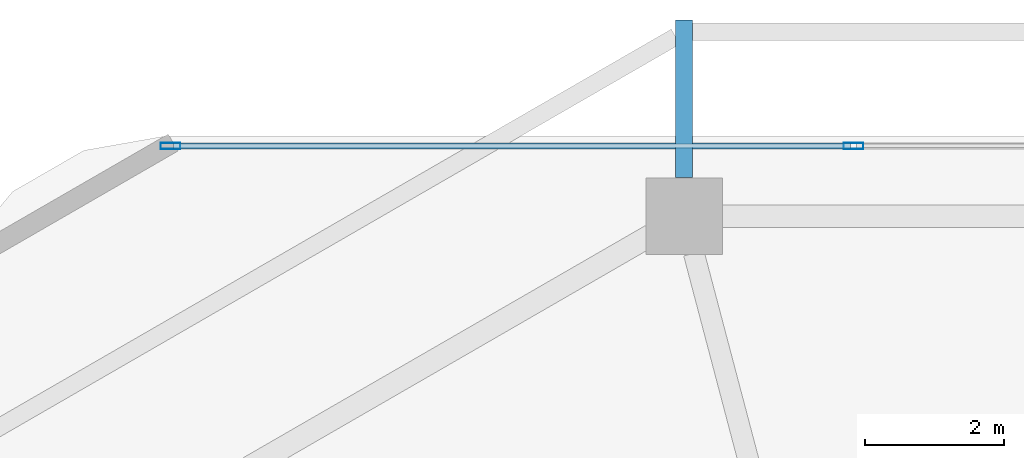
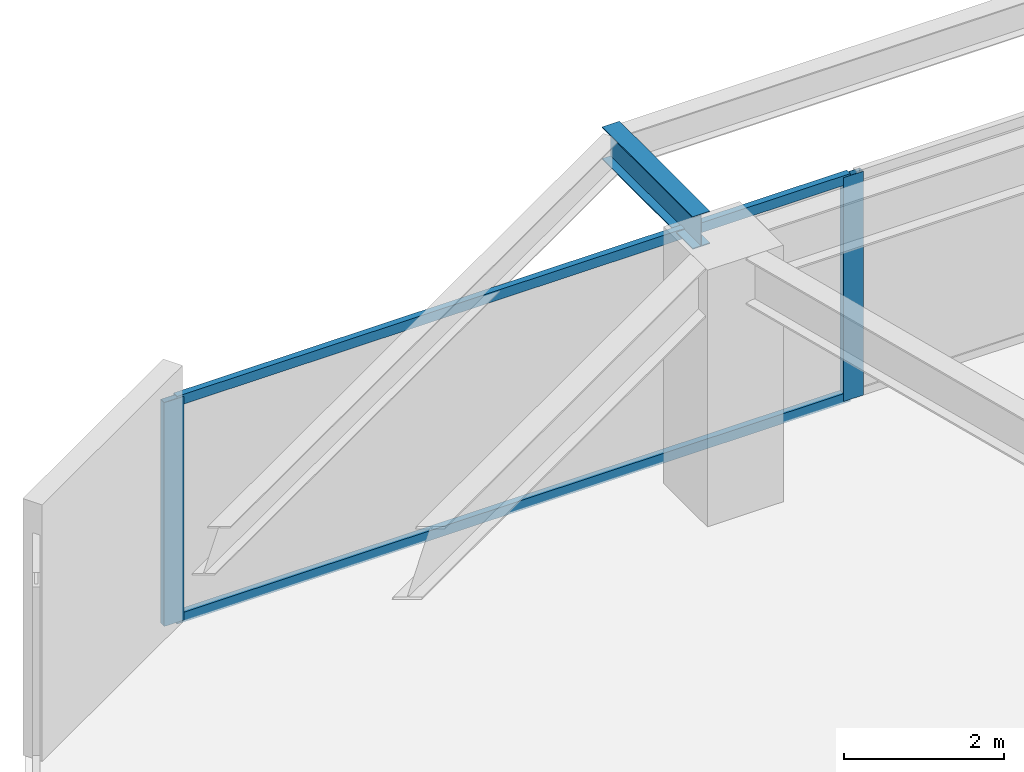
# One storey, part 17 of 28: 4 members, 1 beam, 1 element without a shape of its own.
"""IFC4 building model written with IfcOpenShell, lengths in metres."""

from ifc_helpers import new_model, si_unit, direction, frame, origin, origin_2d, place, context, subcontext, project, spatial, hollow_rectangle, i_section, extrude, material, material_profile, profile_set, type_object, element, aggregate, save


model = new_model("IFC4")

# Units and contexts
model_context = context("Model", 3, precision=1e-05, world=origin(), true_north=direction((0.0, 1.0)))
body_context = subcontext(model_context, "Body", "Model", "MODEL_VIEW")
ifc_project = project(units=[si_unit("LENGTHUNIT", "METRE"), si_unit("AREAUNIT", "SQUARE_METRE"), si_unit("VOLUMEUNIT", "CUBIC_METRE"), si_unit("PLANEANGLEUNIT", "RADIAN"), si_unit("MASSUNIT", "GRAM", prefix="KILO")], contexts=[model_context])

# Site, building, storey
site_placement = place(None, origin())
site = spatial("IfcSite", under=ifc_project, at=site_placement, CompositionType="ELEMENT")
building_placement = place(site_placement, origin())
building = spatial("IfcBuilding", under=site, at=building_placement, Name="Zuhravey Tower", CompositionType="ELEMENT")
storey_placement = place(building_placement, frame((0.0, 0.0, 79.199951171875)))
storey = spatial("IfcBuildingStorey", under=building, at=storey_placement, Name="L19", CompositionType="ELEMENT", Elevation=79.199951171875)

# Curtain wall, members
ifc_material_1 = material(Name="Thermally broken anodised aluminium", Category="aluminium")
curtain_wall_type = type_object("IfcCurtainWallType", Name="School Low-E Unitised Curtain Wall CW1", PredefinedType="NOTDEFINED", material=ifc_material_1)
curtain_wall_placement = place(storey_placement, origin())
curtain_wall = element("IfcCurtainWall", 1, at=curtain_wall_placement, inside=storey, type_object=curtain_wall_type, Name="L19 CW1 CW-L19-F2-1", PredefinedType="NOTDEFINED")
ifc_material_2 = material(Name="Anodised aluminium", Category="aluminium")
ifc_material_profile_1 = material_profile(ifc_material_2, hollow_rectangle(XDim=0.090087890625, YDim=0.284912109375, WallThickness=0.0048828125, at=origin_2d()), Name="ALU-RHS-90x285x5")
ifc_profile_set_1 = profile_set([ifc_material_profile_1], Name="Anodised aluminium")
member_type_1 = type_object("IfcMemberType", Name="Curtain-Wall Mullion 90x180", PredefinedType="MULLION", material=ifc_profile_set_1)
member_1_placement = place(storey_placement, frame((21.24560546875, 60.95849609375, 0.0), z_axis=(0.0, 0.0, 1.0), x_axis=(0.0, 1.0, 0.0)))
member_1 = element("IfcMember", 2, at=member_1_placement, type_object=member_type_1, Name="CW1 mullion 1", PredefinedType="MULLION", context=body_context, shape_type="SweptSolid", body=[
    extrude(hollow_rectangle(XDim=0.090087890625, YDim=0.284912109375, WallThickness=0.0048828125, at=origin_2d()), origin(), (0.0, 0.0, 1.0), 3.420166015625),
])
member_2_placement = place(storey_placement, frame((31.06689453125, 60.95849609375, 0.0), z_axis=(0.0, 0.0, 1.0), x_axis=(0.0, 1.0, 0.0)))
member_2 = element("IfcMember", 3, at=member_2_placement, type_object=member_type_1, Name="CW1 mullion 2", PredefinedType="MULLION", context=body_context, shape_type="SweptSolid", body=[
    extrude(hollow_rectangle(XDim=0.090087890625, YDim=0.284912109375, WallThickness=0.0048828125, at=origin_2d()), origin(), (0.0, 0.0, 1.0), 3.420166015625),
])
ifc_material_profile_2 = material_profile(ifc_material_2, hollow_rectangle(XDim=0.090087890625, YDim=0.14990234375, WallThickness=0.0048828125, at=origin_2d()), Name="ALU-RHS-90x150x5")
ifc_profile_set_2 = profile_set([ifc_material_profile_2], Name="Anodised aluminium")
member_type_2 = type_object("IfcMemberType", Name="Curtain-Wall Transom 90x150", PredefinedType="USERDEFINED", material=ifc_profile_set_2)
member_3_placement = place(storey_placement, frame((21.29052734375, 60.95849609375, 0.045166015625), z_axis=(1.0, 0.0, 0.0), x_axis=(0.0, 1.0, 0.0)))
member_3 = element("IfcMember", 4, at=member_3_placement, type_object=member_type_2, Name="CW1 transom 1.1", ObjectType="TRANSOM", PredefinedType="USERDEFINED", context=body_context, shape_type="SweptSolid", body=[
    extrude(hollow_rectangle(XDim=0.090087890625, YDim=0.14990234375, WallThickness=0.0048828125, at=origin_2d()), origin(), (0.0, 0.0, 1.0), 9.731201171875),
])
member_4_placement = place(storey_placement, frame((21.29052734375, 60.95849609375, 3.375), z_axis=(1.0, 0.0, 0.0), x_axis=(0.0, 1.0, 0.0)))
member_4 = element("IfcMember", 5, at=member_4_placement, type_object=member_type_2, Name="CW1 transom 1.2", ObjectType="TRANSOM", PredefinedType="USERDEFINED", context=body_context, shape_type="SweptSolid", body=[
    extrude(hollow_rectangle(XDim=0.090087890625, YDim=0.14990234375, WallThickness=0.0048828125, at=origin_2d()), origin(), (0.0, 0.0, 1.0), 9.731201171875),
])
aggregate(curtain_wall, [member_1, member_2, member_3, member_4])

# Beam
ifc_material_3 = material(Name="Steel SM355", Category="steel")
ifc_material_profile_3 = material_profile(ifc_material_3, i_section(OverallWidth=0.25, OverallDepth=0.5, WebThickness=0.010009765625, FlangeThickness=0.01611328125, at=origin_2d()), Name="H-500x250x10x16")
ifc_profile_set_3 = profile_set([ifc_material_profile_3], Name="Steel SM355")
beam_type = type_object("IfcBeamType", Name="Tray Cantilever Spandrel H500x250", PredefinedType="SPANDREL", material=ifc_profile_set_3)
beam_placement = place(storey_placement, frame((28.6298828125, 60.50244140625, 3.670166015625), z_axis=(0.0, 1.0, 0.0), x_axis=(-1.0, 0.0, 0.0)))
element("IfcBeam", 6, at=beam_placement, inside=storey, type_object=beam_type, Name="L19 Sky-Tray Cantilever Arm TSB1-R04", PredefinedType="SPANDREL", context=body_context, shape_type="SweptSolid", body=[
    extrude(i_section(OverallWidth=0.25, OverallDepth=0.5, WebThickness=0.010009765625, FlangeThickness=0.01611328125, at=origin_2d()), origin(), (0.0, 0.0, 1.0), 2.26611328125),
])

save(model, "model.ifc")
